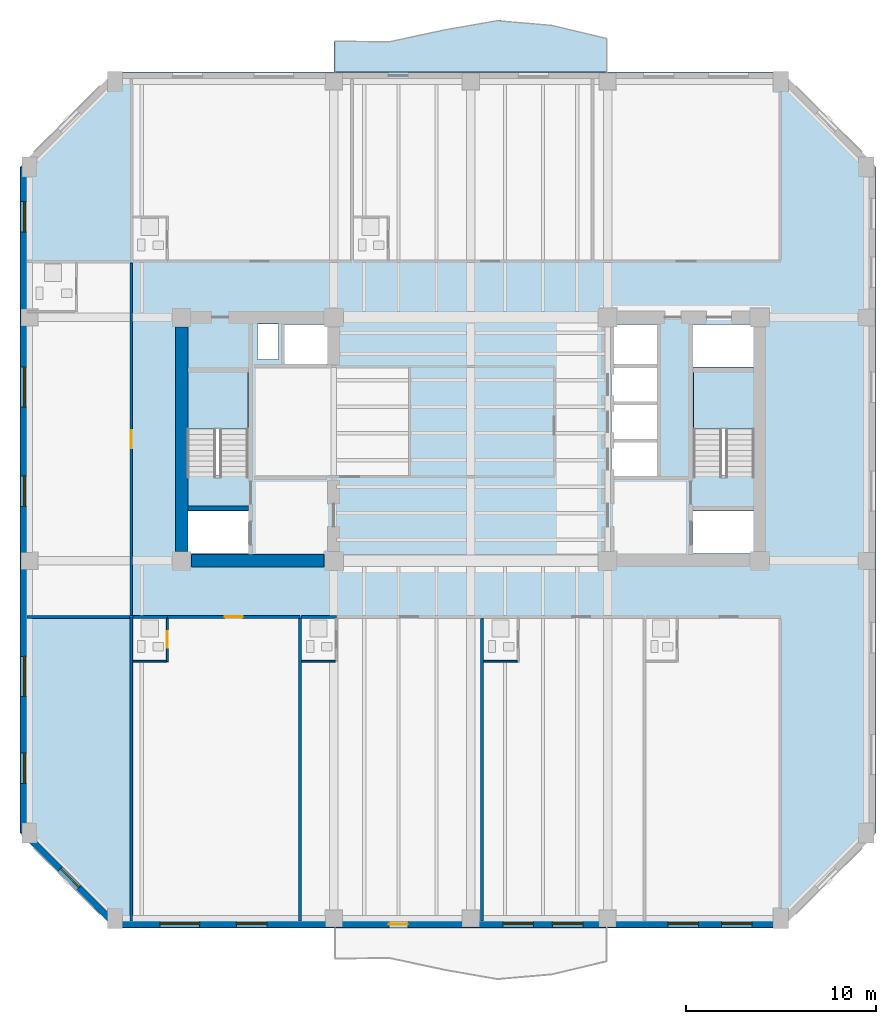
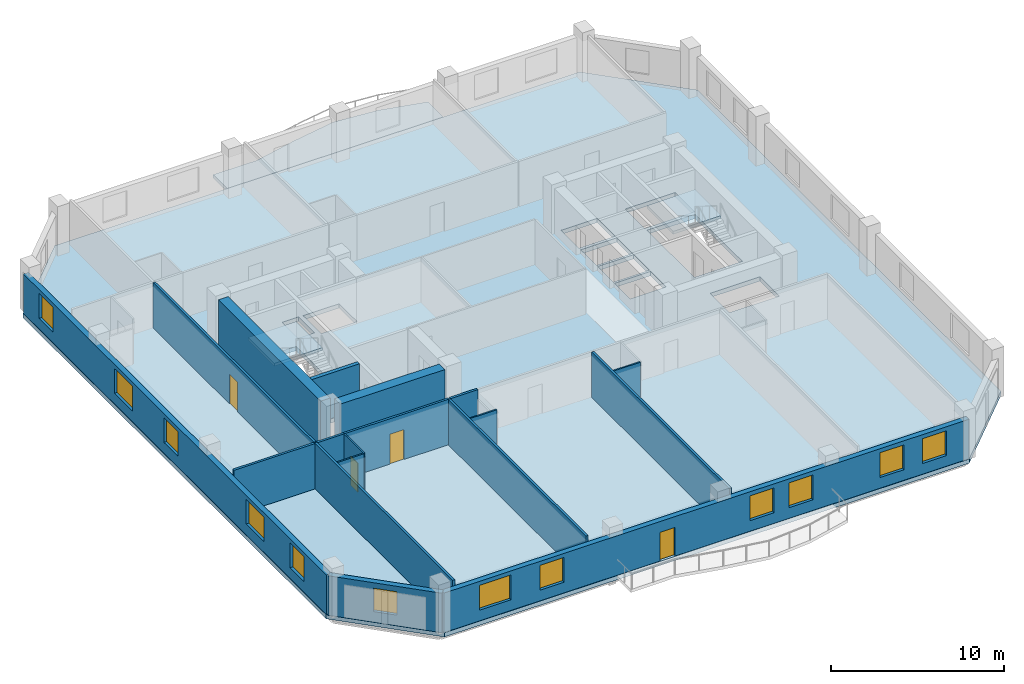
# One storey, part 2 of 10: 18 walls, 12 windows, 4 doors, 4 slabs, 16 openings, 2 elements without a shape of their own.
"""IFC4 building model written with IfcOpenShell, lengths in metres."""

from ifc_helpers import new_model, si_unit, direction, frame, frame_2d, origin, place, context, subcontext, project, spatial, polyline, rectangle, outline, extrude, material, layer, layer_set, type_object, element, fill, aggregate, save


model = new_model("IFC4")

# Units and contexts
model_context = context("Model", 3, precision=1e-05, world=origin(), true_north=direction((0.0, 1.0)))
body_context = subcontext(model_context, "Body", "Model", "MODEL_VIEW")
ifc_project = project(units=[si_unit("LENGTHUNIT", "METRE"), si_unit("AREAUNIT", "SQUARE_METRE"), si_unit("VOLUMEUNIT", "CUBIC_METRE"), si_unit("PLANEANGLEUNIT", "RADIAN"), si_unit("MASSUNIT", "GRAM", prefix="KILO")], contexts=[model_context])

# Site, building, storey
site_placement = place(None, origin())
site = spatial("IfcSite", under=ifc_project, at=site_placement, CompositionType="ELEMENT")
building_placement = place(site_placement, origin())
building = spatial("IfcBuilding", under=site, at=building_placement, Name="Kranthara Brick Stack", CompositionType="ELEMENT")
storey_placement = place(building_placement, frame((0.0, 0.0, 127.300048828125)))
storey = spatial("IfcBuildingStorey", under=building, at=storey_placement, Name="L31", CompositionType="ELEMENT", Elevation=127.300048828125)

# Slab
ifc_material_1 = material(Name="Concrete C45/55", Category="concrete")
ifc_layer_1 = layer(ifc_material_1, 0.219970703125)
ifc_layer_set_1 = layer_set([ifc_layer_1], Name="Concrete C45/55")
slab_type_1 = type_object("IfcSlabType", Name="SLB-BALC-220", PredefinedType="FLOOR", material=ifc_layer_set_1)
slab_1_placement = place(storey_placement, frame((0.0, 0.0, -0.219970703125)))
element("IfcSlab", 1, at=slab_1_placement, inside=storey, type_object=slab_type_1, Name="L31 North Rippling Balcony Slab", PredefinedType="FLOOR", context=body_context, shape_type="SweptSolid", body=[
    extrude(outline(polyline([(35.199951171875, 46.5), (20.800048828125, 46.5), (20.800048828125, 48.119384765625), (23.679931640625, 48.09619140625), (26.56005859375, 48.738037109375), (29.43994140625, 49.23779296875), (32.320068359375, 48.966796875), (35.199951171875, 48.26611328125), (35.199951171875, 46.5)])), origin(), (0.0, 0.0, 1.0), 0.219970703125),
])

# Stair, slab
ifc_material_2 = material(Name="Concrete C45/55", Category="concrete")
stair_type = type_object("IfcStairType", Name="ST-CORE-20R", PredefinedType="HALF_TURN_STAIR", material=ifc_material_2)
stair_1_placement = place(storey_placement, origin())
stair_1 = element("IfcStair", 2, at=stair_1_placement, inside=storey, type_object=stair_type, Name="L31 West Core Protected Exit Stair ST01", PredefinedType="HALF_TURN_STAIR")
ifc_material_3 = material(Name="Concrete C45/55", Category="concrete")
ifc_layer_2 = layer(ifc_material_3, 0.199951171875)
ifc_layer_set_2 = layer_set([ifc_layer_2], Name="Concrete C45/55")
slab_type_2 = type_object("IfcSlabType", Name="SLB-LANDING-200", PredefinedType="LANDING", material=ifc_layer_set_2)
slab_2_placement = place(storey_placement, frame((0.0, 0.0, 1.550048828125)))
slab_2 = element("IfcSlab", 3, at=slab_2_placement, type_object=slab_type_2, Name="ST01 landing 1", PredefinedType="LANDING", context=body_context, shape_type="SweptSolid", body=[
    extrude(outline(polyline([(16.300048828125, 27.719970703125), (16.300048828125, 30.75), (13.10009765625, 30.75), (13.10009765625, 27.719970703125), (16.300048828125, 27.719970703125)])), origin(), (0.0, 0.0, 1.0), 0.199951171875),
])
aggregate(stair_1, [slab_2])

stair_2_placement = place(storey_placement, origin())
stair_2 = element("IfcStair", 4, at=stair_2_placement, inside=storey, type_object=stair_type, Name="L31 East Core Protected Exit Stair ST02", PredefinedType="HALF_TURN_STAIR")
slab_3_placement = place(storey_placement, frame((0.0, 0.0, 1.550048828125)))
slab_3 = element("IfcSlab", 5, at=slab_3_placement, type_object=slab_type_2, Name="ST02 landing 1", PredefinedType="LANDING", context=body_context, shape_type="SweptSolid", body=[
    extrude(outline(polyline([(42.89990234375, 27.719970703125), (42.89990234375, 30.75), (39.699951171875, 30.75), (39.699951171875, 27.719970703125), (42.89990234375, 27.719970703125)])), origin(), (0.0, 0.0, 1.0), 0.199951171875),
])
aggregate(stair_2, [slab_3])

# Slab
ifc_material_4 = material(Name="Post-tensioned concrete C45/55", Category="concrete")
ifc_layer_3 = layer(ifc_material_4, 0.300048828125)
ifc_layer_set_3 = layer_set([ifc_layer_3], Name="Post-tensioned concrete C45/55")
slab_type_3 = type_object("IfcSlabType", Name="SLB-TWR-300", PredefinedType="FLOOR", material=ifc_layer_set_3)
slab_4_placement = place(storey_placement, frame((0.0, 0.0, -0.300048828125)))
element("IfcSlab", 6, at=slab_4_placement, inside=storey, type_object=slab_type_3, Name="L31 Structural Floor Plate", PredefinedType="FLOOR", context=body_context, shape_type="SweptSolid", body=[
    extrude(outline(polyline([(9.300048828125, 1.5), (44.300048828125, 1.5), (49.300048828125, 6.5), (49.300048828125, 41.5), (44.300048828125, 46.5), (9.300048828125, 46.5), (4.300048828125, 41.5), (4.300048828125, 6.5), (9.300048828125, 1.5)]), holes=[polyline([(13.10009765625, 25.280029296875), (16.300048828125, 25.280029296875), (16.300048828125, 30.75), (13.10009765625, 30.75), (13.10009765625, 25.280029296875)]), polyline([(39.699951171875, 25.280029296875), (42.89990234375, 25.280029296875), (42.89990234375, 30.75), (39.699951171875, 30.75), (39.699951171875, 25.280029296875)]), polyline([(13.0, 21.179931640625), (16.320068359375, 21.179931640625), (16.320068359375, 23.419921875), (13.0, 23.419921875), (13.0, 21.179931640625)]), polyline([(39.679931640625, 21.179931640625), (43.0, 21.179931640625), (43.0, 23.419921875), (39.679931640625, 23.419921875), (39.679931640625, 21.179931640625)]), polyline([(39.679931640625, 30.97998046875), (43.0, 30.97998046875), (43.0, 33.219970703125), (39.679931640625, 33.219970703125), (39.679931640625, 30.97998046875)]), polyline([(35.39990234375, 25.25), (37.800048828125, 25.25), (37.800048828125, 27.050048828125), (35.39990234375, 27.050048828125), (35.39990234375, 25.25)]), polyline([(35.39990234375, 27.199951171875), (37.800048828125, 27.199951171875), (37.800048828125, 29.0), (35.39990234375, 29.0), (35.39990234375, 27.199951171875)]), polyline([(35.39990234375, 29.14990234375), (37.800048828125, 29.14990234375), (37.800048828125, 30.949951171875), (35.39990234375, 30.949951171875), (35.39990234375, 29.14990234375)]), polyline([(18.199951171875, 31.14990234375), (20.60009765625, 31.14990234375), (20.60009765625, 33.219970703125), (18.199951171875, 33.219970703125), (18.199951171875, 31.14990234375)]), polyline([(35.39990234375, 31.14990234375), (37.800048828125, 31.14990234375), (37.800048828125, 33.219970703125), (35.39990234375, 33.219970703125), (35.39990234375, 31.14990234375)]), polyline([(16.800048828125, 31.39990234375), (17.89990234375, 31.39990234375), (17.89990234375, 33.25), (16.800048828125, 33.25), (16.800048828125, 31.39990234375)])]), origin(), (0.0, 0.0, 1.0), 0.300048828125),
])

# Wall, openings, door, windows
ifc_material_5 = material(Name="Kiln-fired clay brick masonry M15", Category="masonry")
ifc_layer_4 = layer(ifc_material_5, 0.35009765625)
ifc_layer_set_4 = layer_set([ifc_layer_4], Name="Kiln-fired clay brick masonry M15")
wall_type_1 = type_object("IfcWallType", Name="WL-BRK-SPND-350", PredefinedType="STANDARD", material=ifc_layer_set_4)
wall_1_placement = place(storey_placement, frame((44.300048828125, 1.695068359375, 0.0), z_axis=(0.0, 0.0, 1.0), x_axis=(-1.0, 0.0, 0.0)))
wall_1 = element("IfcWall", 7, at=wall_1_placement, inside=storey, type_object=wall_type_1, Name="L31 Exterior Brick Facade Wall SOUTH 1", PredefinedType="STANDARD", context=body_context, shape_type="SweptSolid", body=[
    extrude(rectangle(XDim=35.0, YDim=0.35009765625, at=frame_2d((17.5, 0.0))), origin(), (0.0, 0.0, 1.0), 2.784912109375),
])
opening_1_placement = place(wall_1_placement, frame((19.60009765625, 0.0, 0.0)))
opening_1 = element("IfcOpeningElement", 8, at=opening_1_placement, cuts=wall_1, Name="Opening D03", PredefinedType="OPENING", context=body_context, shape_type="SweptSolid", body=[
    extrude(rectangle(XDim=1.0, YDim=2.02001953125, at=frame_2d((0.5, 1.010009765625))), frame((0.0, 0.18505859375, 0.0), z_axis=(0.0, -1.0, 0.0), x_axis=(1.0, 0.0, 0.0)), (0.0, 0.0, 1.0), 0.3701171875),
])
opening_2_placement = place(wall_1_placement, frame((1.508056640625, 0.0, 0.75)))
opening_2 = element("IfcOpeningElement", 9, at=opening_2_placement, cuts=wall_1, Name="Opening WN04", PredefinedType="OPENING", context=body_context, shape_type="SweptSolid", body=[
    extrude(rectangle(XDim=1.60009765625, YDim=1.75, at=frame_2d((0.800048828125, 0.875))), frame((0.0, 0.18505859375, 0.0), z_axis=(0.0, -1.0, 0.0), x_axis=(1.0, 0.0, 0.0)), (0.0, 0.0, 1.0), 0.3701171875),
])
opening_3_placement = place(wall_1_placement, frame((4.337890625, 0.0, 0.75)))
opening_3 = element("IfcOpeningElement", 10, at=opening_3_placement, cuts=wall_1, Name="Opening WN04", PredefinedType="OPENING", context=body_context, shape_type="SweptSolid", body=[
    extrude(rectangle(XDim=1.60009765625, YDim=1.75, at=frame_2d((0.800048828125, 0.875))), frame((0.0, 0.18505859375, 0.0), z_axis=(0.0, -1.0, 0.0), x_axis=(1.0, 0.0, 0.0)), (0.0, 0.0, 1.0), 0.3701171875),
])
opening_4_placement = place(wall_1_placement, frame((10.406005859375, 0.0, 0.75)))
opening_4 = element("IfcOpeningElement", 11, at=opening_4_placement, cuts=wall_1, Name="Opening WN04", PredefinedType="OPENING", context=body_context, shape_type="SweptSolid", body=[
    extrude(rectangle(XDim=1.60009765625, YDim=1.75, at=frame_2d((0.800048828125, 0.875))), frame((0.0, 0.18505859375, 0.0), z_axis=(0.0, -1.0, 0.0), x_axis=(1.0, 0.0, 0.0)), (0.0, 0.0, 1.0), 0.3701171875),
])
opening_5_placement = place(wall_1_placement, frame((13.0029296875, 0.0, 0.75)))
opening_5 = element("IfcOpeningElement", 12, at=opening_5_placement, cuts=wall_1, Name="Opening WN04", PredefinedType="OPENING", context=body_context, shape_type="SweptSolid", body=[
    extrude(rectangle(XDim=1.60009765625, YDim=1.75, at=frame_2d((0.800048828125, 0.875))), frame((0.0, 0.18505859375, 0.0), z_axis=(0.0, -1.0, 0.0), x_axis=(1.0, 0.0, 0.0)), (0.0, 0.0, 1.0), 0.3701171875),
])
opening_6_placement = place(wall_1_placement, frame((27.02001953125, 0.0, 0.75)))
opening_6 = element("IfcOpeningElement", 13, at=opening_6_placement, cuts=wall_1, Name="Opening WN04", PredefinedType="OPENING", context=body_context, shape_type="SweptSolid", body=[
    extrude(rectangle(XDim=1.60009765625, YDim=1.75, at=frame_2d((0.800048828125, 0.875))), frame((0.0, 0.18505859375, 0.0), z_axis=(0.0, -1.0, 0.0), x_axis=(1.0, 0.0, 0.0)), (0.0, 0.0, 1.0), 0.3701171875),
])
opening_7_placement = place(wall_1_placement, frame((30.551025390625, 0.0, 0.75)))
opening_7 = element("IfcOpeningElement", 14, at=opening_7_placement, cuts=wall_1, Name="Opening WN05", PredefinedType="OPENING", context=body_context, shape_type="SweptSolid", body=[
    extrude(rectangle(XDim=2.10009765625, YDim=1.75, at=frame_2d((1.050048828125, 0.875))), frame((0.0, 0.18505859375, 0.0), z_axis=(0.0, -1.0, 0.0), x_axis=(1.0, 0.0, 0.0)), (0.0, 0.0, 1.0), 0.3701171875),
])
ifc_material_6 = material(Name="Bronze anodised aluminium and laminated glass", Category="aluminium")
door_type_1 = type_object("IfcDoorType", Name="DR-BALC-1000", OperationType="NOTDEFINED", PredefinedType="DOOR", material=ifc_material_6)
door_1_placement = place(opening_1_placement, origin())
door_1 = element("IfcDoor", 15, at=door_1_placement, inside=storey, type_object=door_type_1, Name="L31 South Balcony Terrace Door", OperationType="SINGLE_SWING_LEFT", OverallHeight=2.02001953125, OverallWidth=1.0, PredefinedType="DOOR", context=body_context, shape_type="SweptSolid", body=[
    extrude(rectangle(XDim=1.0, YDim=2.02001953125, at=frame_2d((0.5, 1.010009765625))), frame((0.0, 0.02490234375, 0.0), z_axis=(0.0, -1.0, 0.0), x_axis=(1.0, 0.0, 0.0)), (0.0, 0.0, 1.0), 0.050048828125),
])
fill(opening_1, door_1)
ifc_material_7 = material(Name="Double-glazed low-E solar control glass", Category="glass")
window_type_1 = type_object("IfcWindowType", Name="WN-HTL-1600x1850", PartitioningType="DOUBLE_PANEL_VERTICAL", PredefinedType="WINDOW", material=ifc_material_7)
window_1_placement = place(opening_2_placement, origin())
window_1 = element("IfcWindow", 16, at=window_1_placement, inside=storey, type_object=window_type_1, Name="L31 South Deep-Set Brick Window 01", OverallHeight=1.75, OverallWidth=1.60009765625, PartitioningType="SINGLE_PANEL", PredefinedType="WINDOW", context=body_context, shape_type="SweptSolid", body=[
    extrude(rectangle(XDim=1.60009765625, YDim=1.75, at=frame_2d((0.800048828125, 0.875))), frame((0.0, -0.010009765625, 0.0), z_axis=(0.0, -1.0, 0.0), x_axis=(1.0, 0.0, 0.0)), (0.0, 0.0, 1.0), 0.06005859375),
])
fill(opening_2, window_1)
window_2_placement = place(opening_3_placement, origin())
window_2 = element("IfcWindow", 17, at=window_2_placement, inside=storey, type_object=window_type_1, Name="L31 South Deep-Set Brick Window 02", OverallHeight=1.75, OverallWidth=1.60009765625, PartitioningType="SINGLE_PANEL", PredefinedType="WINDOW", context=body_context, shape_type="SweptSolid", body=[
    extrude(rectangle(XDim=1.60009765625, YDim=1.75, at=frame_2d((0.800048828125, 0.875))), frame((0.0, -0.010009765625, 0.0), z_axis=(0.0, -1.0, 0.0), x_axis=(1.0, 0.0, 0.0)), (0.0, 0.0, 1.0), 0.06005859375),
])
fill(opening_3, window_2)
window_3_placement = place(opening_4_placement, origin())
window_3 = element("IfcWindow", 18, at=window_3_placement, inside=storey, type_object=window_type_1, Name="L31 South Deep-Set Brick Window 03", OverallHeight=1.75, OverallWidth=1.60009765625, PartitioningType="SINGLE_PANEL", PredefinedType="WINDOW", context=body_context, shape_type="SweptSolid", body=[
    extrude(rectangle(XDim=1.60009765625, YDim=1.75, at=frame_2d((0.800048828125, 0.875))), frame((0.0, -0.010009765625, 0.0), z_axis=(0.0, -1.0, 0.0), x_axis=(1.0, 0.0, 0.0)), (0.0, 0.0, 1.0), 0.06005859375),
])
fill(opening_4, window_3)
window_4_placement = place(opening_5_placement, origin())
window_4 = element("IfcWindow", 19, at=window_4_placement, inside=storey, type_object=window_type_1, Name="L31 South Deep-Set Brick Window 04", OverallHeight=1.75, OverallWidth=1.60009765625, PartitioningType="SINGLE_PANEL", PredefinedType="WINDOW", context=body_context, shape_type="SweptSolid", body=[
    extrude(rectangle(XDim=1.60009765625, YDim=1.75, at=frame_2d((0.800048828125, 0.875))), frame((0.0, -0.010009765625, 0.0), z_axis=(0.0, -1.0, 0.0), x_axis=(1.0, 0.0, 0.0)), (0.0, 0.0, 1.0), 0.06005859375),
])
fill(opening_5, window_4)
window_5_placement = place(opening_6_placement, origin())
window_5 = element("IfcWindow", 20, at=window_5_placement, inside=storey, type_object=window_type_1, Name="L31 South Deep-Set Brick Window 05", OverallHeight=1.75, OverallWidth=1.60009765625, PartitioningType="SINGLE_PANEL", PredefinedType="WINDOW", context=body_context, shape_type="SweptSolid", body=[
    extrude(rectangle(XDim=1.60009765625, YDim=1.75, at=frame_2d((0.800048828125, 0.875))), frame((0.0, -0.010009765625, 0.0), z_axis=(0.0, -1.0, 0.0), x_axis=(1.0, 0.0, 0.0)), (0.0, 0.0, 1.0), 0.06005859375),
])
fill(opening_6, window_5)
ifc_material_8 = material(Name="Double-glazed low-E solar control glass", Category="glass")
window_type_2 = type_object("IfcWindowType", Name="WN-HTL-2100x1850", PartitioningType="DOUBLE_PANEL_VERTICAL", PredefinedType="WINDOW", material=ifc_material_8)
window_6_placement = place(opening_7_placement, origin())
window_6 = element("IfcWindow", 21, at=window_6_placement, inside=storey, type_object=window_type_2, Name="L31 South Deep-Set Brick Window 06", OverallHeight=1.75, OverallWidth=2.10009765625, PartitioningType="SINGLE_PANEL", PredefinedType="WINDOW", context=body_context, shape_type="SweptSolid", body=[
    extrude(rectangle(XDim=2.10009765625, YDim=1.75, at=frame_2d((1.050048828125, 0.875))), frame((0.0, -0.010009765625, 0.0), z_axis=(0.0, -1.0, 0.0), x_axis=(1.0, 0.0, 0.0)), (0.0, 0.0, 1.0), 0.06005859375),
])
fill(opening_7, window_6)

# Wall, opening, window
wall_2_placement = place(storey_placement, frame((9.300048828125, 1.695068359375, 0.0), z_axis=(0.0, 0.0, 1.0), x_axis=(-0.707106781187, 0.707106781187, 0.0)))
wall_2 = element("IfcWall", 22, at=wall_2_placement, inside=storey, type_object=wall_type_1, Name="L31 Exterior Brick Facade Wall SW 1", PredefinedType="STANDARD", context=body_context, shape_type="SweptSolid", body=[
    extrude(rectangle(XDim=6.795166015625, YDim=0.35009765625, at=frame_2d((3.3974609375, 0.0))), origin(), (0.0, 0.0, 1.0), 2.784912109375),
])
opening_8_placement = place(wall_2_placement, frame((2.697998046875, 0.0, 0.75)))
opening_8 = element("IfcOpeningElement", 23, at=opening_8_placement, cuts=wall_2, Name="Opening WN10", PredefinedType="OPENING", context=body_context, shape_type="SweptSolid", body=[
    extrude(rectangle(XDim=1.39990234375, YDim=1.64990234375, at=frame_2d((0.699951171875, 0.824951171875))), frame((0.0, 0.18505859375, 0.0), z_axis=(0.0, -1.0, 0.0), x_axis=(1.0, 0.0, 0.0)), (0.0, 0.0, 1.0), 0.3701171875),
])
ifc_material_9 = material(Name="Double-glazed low-E solar control glass", Category="glass")
window_type_3 = type_object("IfcWindowType", Name="WN-CHM-1400x1750", PartitioningType="SINGLE_PANEL", PredefinedType="WINDOW", material=ifc_material_9)
window_7_placement = place(opening_8_placement, origin())
window_7 = element("IfcWindow", 24, at=window_7_placement, inside=storey, type_object=window_type_3, Name="L31 SW Chamfer Corner Window", OverallHeight=1.64990234375, OverallWidth=1.39990234375, PartitioningType="SINGLE_PANEL", PredefinedType="WINDOW", context=body_context, shape_type="SweptSolid", body=[
    extrude(rectangle(XDim=1.39990234375, YDim=1.64990234375, at=frame_2d((0.699951171875, 0.824951171875))), frame((0.0, -0.010009765625, 0.0), z_axis=(0.0, -1.0, 0.0), x_axis=(1.0, 0.0, 0.0)), (0.0, 0.0, 1.0), 0.06005859375),
])
fill(opening_8, window_7)

# Wall, openings, windows
wall_3_placement = place(storey_placement, frame((4.4951171875, 6.5, 0.0), z_axis=(0.0, 0.0, 1.0), x_axis=(0.0, 1.0, 0.0)))
wall_3 = element("IfcWall", 25, at=wall_3_placement, inside=storey, type_object=wall_type_1, Name="L31 Exterior Brick Facade Wall WEST 1", PredefinedType="STANDARD", context=body_context, shape_type="SweptSolid", body=[
    extrude(rectangle(XDim=35.0, YDim=0.35009765625, at=frame_2d((17.5, 0.0))), origin(), (0.0, 0.0, 1.0), 2.784912109375),
])
opening_9_placement = place(wall_3_placement, frame((2.594970703125, 0.0, 0.75)))
opening_9 = element("IfcOpeningElement", 26, at=opening_9_placement, cuts=wall_3, Name="Opening WN04", PredefinedType="OPENING", context=body_context, shape_type="SweptSolid", body=[
    extrude(rectangle(XDim=1.60009765625, YDim=1.75, at=frame_2d((0.800048828125, 0.875))), frame((0.0, 0.18505859375, 0.0), z_axis=(0.0, -1.0, 0.0), x_axis=(1.0, 0.0, 0.0)), (0.0, 0.0, 1.0), 0.3701171875),
])
opening_10_placement = place(wall_3_placement, frame((7.180908203125, 0.0, 0.75)))
opening_10 = element("IfcOpeningElement", 27, at=opening_10_placement, cuts=wall_3, Name="Opening WN05", PredefinedType="OPENING", context=body_context, shape_type="SweptSolid", body=[
    extrude(rectangle(XDim=2.10009765625, YDim=1.75, at=frame_2d((1.050048828125, 0.875))), frame((0.0, 0.18505859375, 0.0), z_axis=(0.0, -1.0, 0.0), x_axis=(1.0, 0.0, 0.0)), (0.0, 0.0, 1.0), 0.3701171875),
])
opening_11_placement = place(wall_3_placement, frame((17.1640625, 0.0, 0.75)))
opening_11 = element("IfcOpeningElement", 28, at=opening_11_placement, cuts=wall_3, Name="Opening WN04", PredefinedType="OPENING", context=body_context, shape_type="SweptSolid", body=[
    extrude(rectangle(XDim=1.60009765625, YDim=1.75, at=frame_2d((0.800048828125, 0.875))), frame((0.0, 0.18505859375, 0.0), z_axis=(0.0, -1.0, 0.0), x_axis=(1.0, 0.0, 0.0)), (0.0, 0.0, 1.0), 0.3701171875),
])
opening_12_placement = place(wall_3_placement, frame((22.385986328125, 0.0, 0.75)))
opening_12 = element("IfcOpeningElement", 29, at=opening_12_placement, cuts=wall_3, Name="Opening WN05", PredefinedType="OPENING", context=body_context, shape_type="SweptSolid", body=[
    extrude(rectangle(XDim=2.10009765625, YDim=1.75, at=frame_2d((1.050048828125, 0.875))), frame((0.0, 0.18505859375, 0.0), z_axis=(0.0, -1.0, 0.0), x_axis=(1.0, 0.0, 0.0)), (0.0, 0.0, 1.0), 0.3701171875),
])
opening_13_placement = place(wall_3_placement, frame((31.587890625, 0.0, 0.75)))
opening_13 = element("IfcOpeningElement", 30, at=opening_13_placement, cuts=wall_3, Name="Opening WN04", PredefinedType="OPENING", context=body_context, shape_type="SweptSolid", body=[
    extrude(rectangle(XDim=1.60009765625, YDim=1.75, at=frame_2d((0.800048828125, 0.875))), frame((0.0, 0.18505859375, 0.0), z_axis=(0.0, -1.0, 0.0), x_axis=(1.0, 0.0, 0.0)), (0.0, 0.0, 1.0), 0.3701171875),
])
window_8_placement = place(opening_9_placement, origin())
window_8 = element("IfcWindow", 31, at=window_8_placement, inside=storey, type_object=window_type_1, Name="L31 West Deep-Set Brick Window 01", OverallHeight=1.75, OverallWidth=1.60009765625, PartitioningType="SINGLE_PANEL", PredefinedType="WINDOW", context=body_context, shape_type="SweptSolid", body=[
    extrude(rectangle(XDim=1.60009765625, YDim=1.75, at=frame_2d((0.800048828125, 0.875))), frame((0.0, -0.010009765625, 0.0), z_axis=(0.0, -1.0, 0.0), x_axis=(1.0, 0.0, 0.0)), (0.0, 0.0, 1.0), 0.06005859375),
])
fill(opening_9, window_8)
window_9_placement = place(opening_11_placement, origin())
window_9 = element("IfcWindow", 32, at=window_9_placement, inside=storey, type_object=window_type_1, Name="L31 West Deep-Set Brick Window 03", OverallHeight=1.75, OverallWidth=1.60009765625, PartitioningType="SINGLE_PANEL", PredefinedType="WINDOW", context=body_context, shape_type="SweptSolid", body=[
    extrude(rectangle(XDim=1.60009765625, YDim=1.75, at=frame_2d((0.800048828125, 0.875))), frame((0.0, -0.010009765625, 0.0), z_axis=(0.0, -1.0, 0.0), x_axis=(1.0, 0.0, 0.0)), (0.0, 0.0, 1.0), 0.06005859375),
])
fill(opening_11, window_9)
window_10_placement = place(opening_13_placement, origin())
window_10 = element("IfcWindow", 33, at=window_10_placement, inside=storey, type_object=window_type_1, Name="L31 West Deep-Set Brick Window 05", OverallHeight=1.75, OverallWidth=1.60009765625, PartitioningType="SINGLE_PANEL", PredefinedType="WINDOW", context=body_context, shape_type="SweptSolid", body=[
    extrude(rectangle(XDim=1.60009765625, YDim=1.75, at=frame_2d((0.800048828125, 0.875))), frame((0.0, -0.010009765625, 0.0), z_axis=(0.0, -1.0, 0.0), x_axis=(1.0, 0.0, 0.0)), (0.0, 0.0, 1.0), 0.06005859375),
])
fill(opening_13, window_10)
window_11_placement = place(opening_10_placement, origin())
window_11 = element("IfcWindow", 34, at=window_11_placement, inside=storey, type_object=window_type_2, Name="L31 West Deep-Set Brick Window 02", OverallHeight=1.75, OverallWidth=2.10009765625, PartitioningType="SINGLE_PANEL", PredefinedType="WINDOW", context=body_context, shape_type="SweptSolid", body=[
    extrude(rectangle(XDim=2.10009765625, YDim=1.75, at=frame_2d((1.050048828125, 0.875))), frame((0.0, -0.010009765625, 0.0), z_axis=(0.0, -1.0, 0.0), x_axis=(1.0, 0.0, 0.0)), (0.0, 0.0, 1.0), 0.06005859375),
])
fill(opening_10, window_11)
window_12_placement = place(opening_12_placement, origin())
window_12 = element("IfcWindow", 35, at=window_12_placement, inside=storey, type_object=window_type_2, Name="L31 West Deep-Set Brick Window 04", OverallHeight=1.75, OverallWidth=2.10009765625, PartitioningType="SINGLE_PANEL", PredefinedType="WINDOW", context=body_context, shape_type="SweptSolid", body=[
    extrude(rectangle(XDim=2.10009765625, YDim=1.75, at=frame_2d((1.050048828125, 0.875))), frame((0.0, -0.010009765625, 0.0), z_axis=(0.0, -1.0, 0.0), x_axis=(1.0, 0.0, 0.0)), (0.0, 0.0, 1.0), 0.06005859375),
])
fill(opening_12, window_12)

# Walls
ifc_material_10 = material(Name="Concrete C50/60", Category="concrete")
ifc_layer_5 = layer(ifc_material_10, 0.25)
ifc_layer_set_5 = layer_set([ifc_layer_5], Name="Concrete C50/60")
wall_type_2 = type_object("IfcWallType", Name="WL-CORE-250", PredefinedType="SHEAR", material=ifc_layer_set_5)
wall_4_placement = place(storey_placement, frame((13.135009765625, 23.570068359375, 0.0), z_axis=(0.0, 0.0, 1.0), x_axis=(1.0, 0.0, 0.0)))
element("IfcWall", 36, at=wall_4_placement, inside=storey, type_object=wall_type_2, Name="L31 West Stairwell Bearing Wall WFF", PredefinedType="SHEAR", context=body_context, shape_type="SweptSolid", body=[
    extrude(rectangle(XDim=3.175048828125, YDim=0.25, at=frame_2d((1.58740234375, 0.0))), origin(), (0.0, 0.0, 1.0), 3.199951171875),
])
ifc_material_11 = material(Name="Concrete C60/75", Category="concrete")
ifc_layer_6 = layer(ifc_material_11, 0.64990234375)
ifc_layer_set_6 = layer_set([ifc_layer_6], Name="Concrete C60/75")
wall_type_3 = type_object("IfcWallType", Name="WL-CORE-650", PredefinedType="SHEAR", material=ifc_layer_set_6)
wall_5_placement = place(storey_placement, frame((12.800048828125, 21.304931640625, 0.0), z_axis=(0.0, 0.0, 1.0), x_axis=(0.0, 1.0, 0.0)))
element("IfcWall", 37, at=wall_5_placement, inside=storey, type_object=wall_type_3, Name="L31 West Core Shear Wall West", PredefinedType="SHEAR", context=body_context, shape_type="SweptSolid", body=[
    extrude(rectangle(XDim=11.7900390625, YDim=0.64990234375, at=frame_2d((5.89501953125, 0.0))), origin(), (0.0, 0.0, 1.0), 3.199951171875),
])
wall_6_placement = place(storey_placement, frame((13.304931640625, 20.800048828125, 0.0), z_axis=(0.0, 0.0, 1.0), x_axis=(1.0, 0.0, 0.0)))
element("IfcWall", 38, at=wall_6_placement, inside=storey, type_object=wall_type_3, Name="L31 West Core Shear Wall South", PredefinedType="SHEAR", context=body_context, shape_type="SweptSolid", body=[
    extrude(rectangle(XDim=6.989990234375, YDim=0.64990234375, at=frame_2d((3.4951171875, 0.0))), origin(), (0.0, 0.0, 1.0), 3.199951171875),
])

# Wall, opening, door
ifc_material_12 = material(Name="Moisture-resistant wet-room partition", Category="other")
ifc_layer_7 = layer(ifc_material_12, 0.10009765625)
ifc_layer_set_7 = layer_set([ifc_layer_7], Name="Moisture-resistant wet-room partition")
wall_type_4 = type_object("IfcWallType", Name="WL-PART-100", PredefinedType="PARTITIONING", material=ifc_layer_set_7)
wall_7_placement = place(storey_placement, frame((12.050048828125, 15.52001953125, 0.0), z_axis=(0.0, 0.0, 1.0), x_axis=(0.0, 1.0, 0.0)))
wall_7 = element("IfcWall", 39, at=wall_7_placement, inside=storey, type_object=wall_type_4, Name="L31 Interior Partition 008", PredefinedType="PARTITIONING", context=body_context, shape_type="SweptSolid", body=[
    extrude(rectangle(XDim=2.25, YDim=0.10009765625, at=frame_2d((1.125, 0.0))), origin(), (0.0, 0.0, 1.0), 3.199951171875),
])
opening_14_placement = place(wall_7_placement, frame((0.719970703125, 0.0, 0.0)))
opening_14 = element("IfcOpeningElement", 40, at=opening_14_placement, cuts=wall_7, Name="Opening D17", PredefinedType="OPENING", context=body_context, shape_type="SweptSolid", body=[
    extrude(rectangle(XDim=0.85009765625, YDim=2.050048828125, at=frame_2d((0.425048828125, 1.02490234375))), frame((0.0, 0.06005859375, 0.0), z_axis=(0.0, -1.0, 0.0), x_axis=(1.0, 0.0, 0.0)), (0.0, 0.0, 1.0), 0.1201171875),
])
ifc_material_13 = material(Name="Solid-core hardwood timber leaf in steel frame", Category="steel")
door_type_2 = type_object("IfcDoorType", Name="DR-WET-850", OperationType="NOTDEFINED", PredefinedType="DOOR", material=ifc_material_13)
door_2_placement = place(opening_14_placement, origin())
door_2 = element("IfcDoor", 41, at=door_2_placement, inside=storey, type_object=door_type_2, Name="L31 Key 01 En-Suite Door 03", OperationType="SINGLE_SWING_LEFT", OverallHeight=2.050048828125, OverallWidth=0.85009765625, PredefinedType="DOOR", context=body_context, shape_type="SweptSolid", body=[
    extrude(rectangle(XDim=0.85009765625, YDim=2.050048828125, at=frame_2d((0.425048828125, 1.02490234375))), frame((0.0, 0.02490234375, 0.0), z_axis=(0.0, -1.0, 0.0), x_axis=(1.0, 0.0, 0.0)), (0.0, 0.0, 1.0), 0.050048828125),
])
fill(opening_14, door_2)

# Walls
for number, where, z_axis, x_axis, name in (
    (42, (10.22998046875, 15.52001953125, 0.0), (0.0, 0.0, 1.0), (1.0, 0.0, 0.0), "L31 Interior Partition 009"),
    (43, (19.10888671875, 15.52001953125, 0.0), (0.0, 0.0, 1.0), (1.0, 0.0, 0.0), "L31 Interior Partition 014"),
    (44, (28.6708984375, 15.52001953125, 0.0), (0.0, 0.0, 1.0), (1.0, 0.0, 0.0), "L31 Interior Partition 019"),
):
    element("IfcWall", number, at=place(storey_placement, frame(where, z_axis=z_axis, x_axis=x_axis)), inside=storey, type_object=wall_type_4, Name=name, PredefinedType="PARTITIONING", context=body_context, shape_type="SweptSolid", body=[
        extrude(rectangle(XDim=1.76513671875, YDim=0.10009765625, at=frame_2d((0.882568359375, 0.0))), origin(), (0.0, 0.0, 1.0), 3.199951171875),
    ])
ifc_material_14 = material(Name="Fire-rated gypsum board partition", Category="other")
ifc_layer_8 = layer(ifc_material_14, 0.14990234375)
ifc_layer_set_8 = layer_set([ifc_layer_8], Name="Fire-rated gypsum board partition")
wall_type_5 = type_object("IfcWallType", Name="WL-PART-150", PredefinedType="PARTITIONING", material=ifc_layer_set_8)
wall_8_placement = place(storey_placement, frame((10.14990234375, 1.875, 0.0), z_axis=(0.0, 0.0, 1.0), x_axis=(0.0, 1.0, 0.0)))
element("IfcWall", 45, at=wall_8_placement, inside=storey, type_object=wall_type_5, Name="L31 Interior Partition 005", PredefinedType="PARTITIONING", context=body_context, shape_type="SweptSolid", body=[
    extrude(rectangle(XDim=15.97509765625, YDim=0.14990234375, at=frame_2d((7.987548828125, 0.0))), origin(), (0.0, 0.0, 1.0), 3.199951171875),
])
wall_9_placement = place(storey_placement, frame((10.22998046875, 17.85009765625, 0.0), z_axis=(0.0, 0.0, 1.0), x_axis=(1.0, 0.0, 0.0)))
element("IfcWall", 46, at=wall_9_placement, inside=storey, type_object=wall_type_5, Name="L31 Interior Partition 006", PredefinedType="PARTITIONING", context=body_context, shape_type="SweptSolid", body=[
    extrude(rectangle(XDim=1.820068359375, YDim=0.14990234375, at=frame_2d((0.91015625, 0.0))), origin(), (0.0, 0.0, 1.0), 3.199951171875),
])

# Wall, opening, door
wall_10_placement = place(storey_placement, frame((12.050048828125, 17.85009765625, 0.0), z_axis=(0.0, 0.0, 1.0), x_axis=(1.0, 0.0, 0.0)))
wall_10 = element("IfcWall", 47, at=wall_10_placement, inside=storey, type_object=wall_type_5, Name="L31 Interior Partition 007", PredefinedType="PARTITIONING", context=body_context, shape_type="SweptSolid", body=[
    extrude(rectangle(XDim=6.97900390625, YDim=0.14990234375, at=frame_2d((3.489501953125, 0.0))), origin(), (0.0, 0.0, 1.0), 3.199951171875),
])
opening_15_placement = place(wall_10_placement, frame((3.010009765625, 0.0, 0.0)))
opening_15 = element("IfcOpeningElement", 48, at=opening_15_placement, cuts=wall_10, Name="Opening D09", PredefinedType="OPENING", context=body_context, shape_type="SweptSolid", body=[
    extrude(rectangle(XDim=0.949951171875, YDim=2.10009765625, at=frame_2d((0.47509765625, 1.050048828125))), frame((0.0, 0.0849609375, 0.0), z_axis=(0.0, -1.0, 0.0), x_axis=(1.0, 0.0, 0.0)), (0.0, 0.0, 1.0), 0.169921875),
])
ifc_material_15 = material(Name="Solid-core hardwood timber leaf in steel frame", Category="steel")
door_type_3 = type_object("IfcDoorType", Name="DR-FD-950", OperationType="NOTDEFINED", PredefinedType="DOOR", material=ifc_material_15)
door_3_placement = place(opening_15_placement, origin())
door_3 = element("IfcDoor", 49, at=door_3_placement, inside=storey, type_object=door_type_3, Name="L31 Key 01 Entry 04", OperationType="SINGLE_SWING_RIGHT", OverallHeight=2.10009765625, OverallWidth=0.949951171875, PredefinedType="DOOR", context=body_context, shape_type="SweptSolid", body=[
    extrude(rectangle(XDim=0.949951171875, YDim=2.10009765625, at=frame_2d((0.47509765625, 1.050048828125))), frame((0.0, 0.02490234375, 0.0), z_axis=(0.0, -1.0, 0.0), x_axis=(1.0, 0.0, 0.0)), (0.0, 0.0, 1.0), 0.050048828125),
])
fill(opening_15, door_3)

# Walls
wall_11_placement = place(storey_placement, frame((19.029052734375, 1.875, 0.0), z_axis=(0.0, 0.0, 1.0), x_axis=(0.0, 1.0, 0.0)))
element("IfcWall", 50, at=wall_11_placement, inside=storey, type_object=wall_type_5, Name="L31 Interior Partition 010", PredefinedType="PARTITIONING", context=body_context, shape_type="SweptSolid", body=[
    extrude(rectangle(XDim=15.89501953125, YDim=0.14990234375, at=frame_2d((7.947509765625, 0.0))), origin(), (0.0, 0.0, 1.0), 3.199951171875),
])
wall_12_placement = place(storey_placement, frame((19.10888671875, 17.85009765625, 0.0), z_axis=(0.0, 0.0, 1.0), x_axis=(1.0, 0.0, 0.0)))
element("IfcWall", 51, at=wall_12_placement, inside=storey, type_object=wall_type_5, Name="L31 Interior Partition 011", PredefinedType="PARTITIONING", context=body_context, shape_type="SweptSolid", body=[
    extrude(rectangle(XDim=1.820068359375, YDim=0.14990234375, at=frame_2d((0.91015625, 0.0))), origin(), (0.0, 0.0, 1.0), 3.199951171875),
])
wall_13_placement = place(storey_placement, frame((28.591064453125, 1.875, 0.0), z_axis=(0.0, 0.0, 1.0), x_axis=(0.0, 1.0, 0.0)))
element("IfcWall", 52, at=wall_13_placement, inside=storey, type_object=wall_type_5, Name="L31 Interior Partition 015", PredefinedType="PARTITIONING", context=body_context, shape_type="SweptSolid", body=[
    extrude(rectangle(XDim=15.89501953125, YDim=0.14990234375, at=frame_2d((7.947509765625, 0.0))), origin(), (0.0, 0.0, 1.0), 3.199951171875),
])
wall_14_placement = place(storey_placement, frame((4.675048828125, 17.85009765625, 0.0), z_axis=(0.0, 0.0, 1.0), x_axis=(1.0, 0.0, 0.0)))
element("IfcWall", 53, at=wall_14_placement, inside=storey, type_object=wall_type_5, Name="L31 Interior Partition 039", PredefinedType="PARTITIONING", context=body_context, shape_type="SweptSolid", body=[
    extrude(rectangle(XDim=5.39501953125, YDim=0.14990234375, at=frame_2d((2.697509765625, 0.0))), origin(), (0.0, 0.0, 1.0), 3.199951171875),
])

# Wall, opening, door
wall_15_placement = place(storey_placement, frame((10.14990234375, 17.929931640625, 0.0), z_axis=(0.0, 0.0, 1.0), x_axis=(0.0, 1.0, 0.0)))
wall_15 = element("IfcWall", 54, at=wall_15_placement, inside=storey, type_object=wall_type_5, Name="L31 Interior Partition 041", PredefinedType="PARTITIONING", context=body_context, shape_type="SweptSolid", body=[
    extrude(rectangle(XDim=18.5400390625, YDim=0.14990234375, at=frame_2d((9.27001953125, 0.0))), origin(), (0.0, 0.0, 1.0), 3.199951171875),
])
opening_16_placement = place(wall_15_placement, frame((8.7900390625, 0.0, 0.0)))
opening_16 = element("IfcOpeningElement", 55, at=opening_16_placement, cuts=wall_15, Name="Opening D09", PredefinedType="OPENING", context=body_context, shape_type="SweptSolid", body=[
    extrude(rectangle(XDim=0.949951171875, YDim=2.10009765625, at=frame_2d((0.47509765625, 1.050048828125))), frame((0.0, 0.0849609375, 0.0), z_axis=(0.0, -1.0, 0.0), x_axis=(1.0, 0.0, 0.0)), (0.0, 0.0, 1.0), 0.169921875),
])
door_4_placement = place(opening_16_placement, origin())
door_4 = element("IfcDoor", 56, at=door_4_placement, inside=storey, type_object=door_type_3, Name="L31 West Key 8 17", OperationType="SINGLE_SWING_LEFT", OverallHeight=2.10009765625, OverallWidth=0.949951171875, PredefinedType="DOOR", context=body_context, shape_type="SweptSolid", body=[
    extrude(rectangle(XDim=0.949951171875, YDim=2.10009765625, at=frame_2d((0.47509765625, 1.050048828125))), frame((0.0, 0.02490234375, 0.0), z_axis=(0.0, -1.0, 0.0), x_axis=(1.0, 0.0, 0.0)), (0.0, 0.0, 1.0), 0.050048828125),
])
fill(opening_16, door_4)

save(model, "model.ifc")
